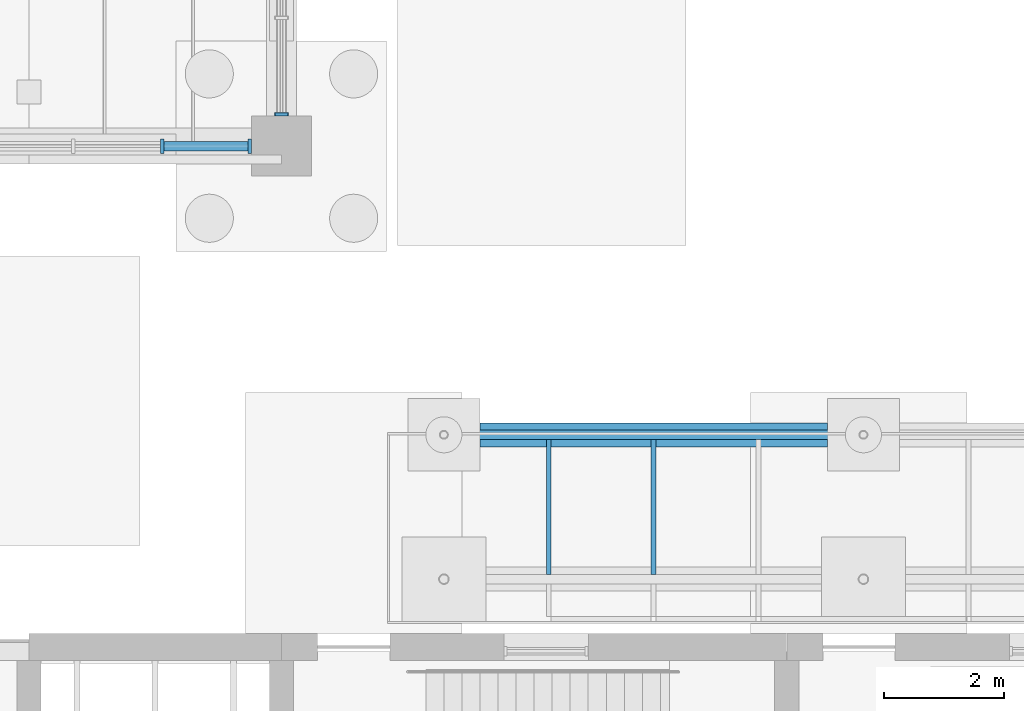
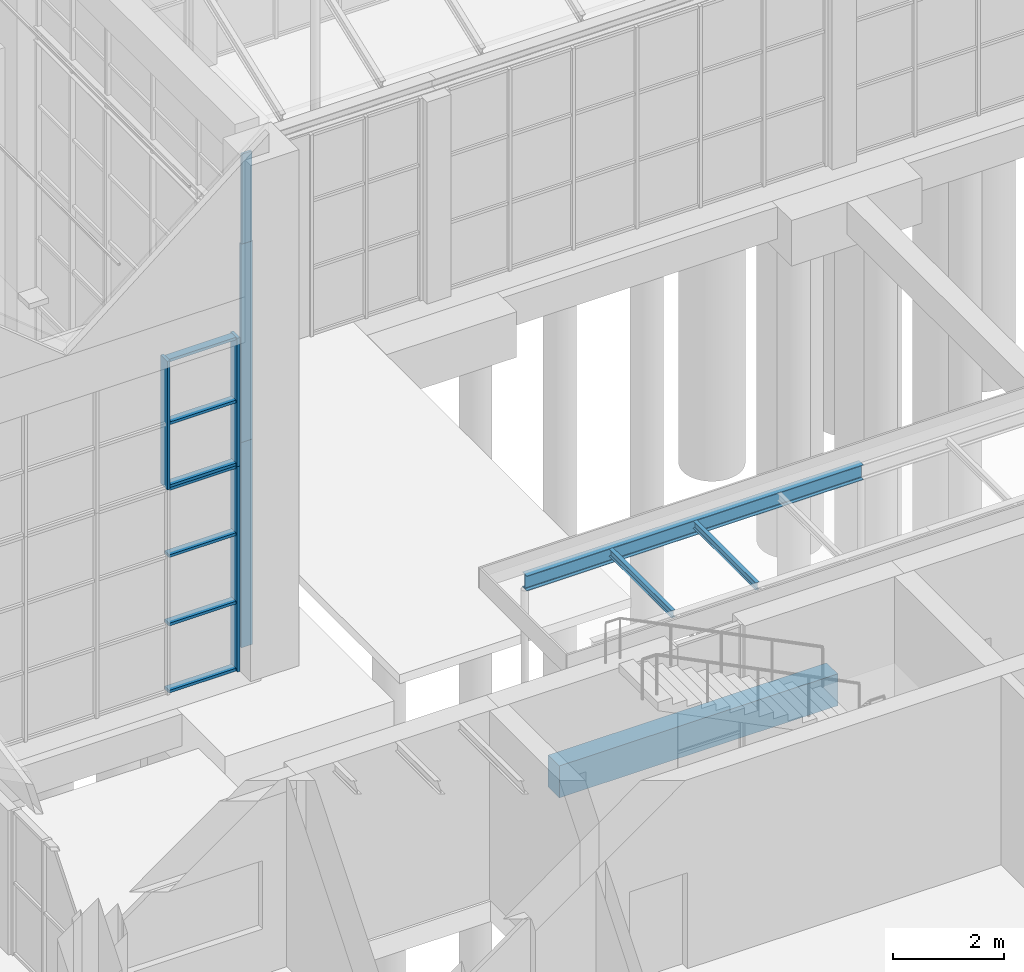
# One storey, part 40 of 138: 13 members, 4 beams, 5 elements without a shape of their own.
"""IFC4 building model written with IfcOpenShell, lengths in metres."""

from ifc_helpers import new_model, si_unit, direction, frame, origin, origin_2d, place, context, subcontext, project, spatial, rectangle, i_section, extrude, material, material_profile, profile_set, type_object, element, aggregate, save


model = new_model("IFC4")

# Units and contexts
model_context = context("Model", 3, precision=1e-05, world=origin(), true_north=direction((0.0, 1.0)))
body_context = subcontext(model_context, "Body", "Model", "MODEL_VIEW")
ifc_project = project(units=[si_unit("LENGTHUNIT", "METRE"), si_unit("AREAUNIT", "SQUARE_METRE"), si_unit("VOLUMEUNIT", "CUBIC_METRE"), si_unit("PLANEANGLEUNIT", "RADIAN"), si_unit("MASSUNIT", "GRAM", prefix="KILO")], contexts=[model_context])

# Site, building, storey
site_placement = place(None, origin())
site = spatial("IfcSite", under=ifc_project, at=site_placement, CompositionType="ELEMENT")
building_placement = place(site_placement, origin())
building = spatial("IfcBuilding", under=site, at=building_placement, Name="Yavir Park General Hospital", CompositionType="ELEMENT")
storey_placement = place(building_placement, origin())
storey = spatial("IfcBuildingStorey", under=building, at=storey_placement, Name="L00", CompositionType="ELEMENT", Elevation=0.0)

# Beams
ifc_material_1 = material(Name="Steel S355", Category="steel")
ifc_material_profile_1 = material_profile(ifc_material_1, i_section(OverallWidth=0.08203125, OverallDepth=0.159912109375, WebThickness=0.0048828125, FlangeThickness=0.00732421875, FilletRadius=0.009033203125, at=origin_2d()), Name="IPE160")
ifc_profile_set_1 = profile_set([ifc_material_profile_1], Name="Steel S355")
beam_type_1 = type_object("IfcBeamType", Name="IPE 160 secondary beam, up to 2.5 m span", PredefinedType="JOIST", material=ifc_profile_set_1)
for number, where, z_axis, x_axis, name in (
    (1, (113.643798828125, 34.8798828125, 3.77001953125), (0.0, 1.0, 0.0), (-1.0, 0.0, 0.0), "B:ARC2:J1-1"),
    (2, (115.387451171875, 34.8798828125, 3.77001953125), (0.0, 1.0, 0.0), (-1.0, 0.0, 0.0), "B:ARC2:J2-1"),
):
    element("IfcBeam", number, at=place(storey_placement, frame(where, z_axis=z_axis, x_axis=x_axis)), inside=storey, type_object=beam_type_1, Name=name, PredefinedType="JOIST", context=body_context, shape_type="SweptSolid", body=[
        extrude(i_section(OverallWidth=0.08203125, OverallDepth=0.159912109375, WebThickness=0.0048828125, FlangeThickness=0.00732421875, FilletRadius=0.009033203125, at=origin_2d()), origin(), (0.0, 0.0, 1.0), 2.240234375),
    ])
ifc_material_2 = material(Name="Steel S355", Category="steel")
ifc_material_profile_2 = material_profile(ifc_material_2, i_section(OverallWidth=0.159912109375, OverallDepth=0.330078125, WebThickness=0.007568359375, FlangeThickness=0.011474609375, FilletRadius=0.01806640625, at=origin_2d()), Name="IPE330")
ifc_profile_set_2 = profile_set([ifc_material_profile_2], Name="Steel S355")
beam_type_2 = type_object("IfcBeamType", Name="IPE 330 main beam, outer row, up to 7 m span", PredefinedType="BEAM", material=ifc_profile_set_2)
beam_1_placement = place(storey_placement, frame((111.89990234375, 37.199951171875, 3.68505859375), z_axis=(1.0, 0.0, 0.0), x_axis=(0.0, 1.0, 0.0)))
element("IfcBeam", 3, at=beam_1_placement, inside=storey, type_object=beam_type_2, Name="B:ARC2:M10", PredefinedType="BEAM", context=body_context, shape_type="SweptSolid", body=[
    extrude(i_section(OverallWidth=0.159912109375, OverallDepth=0.330078125, WebThickness=0.007568359375, FlangeThickness=0.011474609375, FilletRadius=0.01806640625, at=origin_2d()), origin(), (0.0, 0.0, 1.0), 6.97509765625),
])

# Curtain wall, member
ifc_material_3 = material(Name="Aluminium curtain wall frame with insulated glazing", Category="aluminium")
curtain_wall_type_1 = type_object("IfcCurtainWallType", Name="Main hall glazing, clerestory band, 1970 high, 1400 module", PredefinedType="NOTDEFINED", material=ifc_material_3)
curtain_wall_1_placement = place(storey_placement, origin())
curtain_wall_1 = element("IfcCurtainWall", 4, at=curtain_wall_1_placement, inside=storey, type_object=curtain_wall_type_1, Name="CW35 L00-060", PredefinedType="NOTDEFINED")
ifc_material_4 = material(Name="Aluminium", Category="aluminium")
ifc_material_profile_3 = material_profile(ifc_material_4, rectangle(XDim=0.199951171875, YDim=0.050048828125, at=origin_2d()), Name="AL 50x200")
ifc_profile_set_3 = profile_set([ifc_material_profile_3], Name="Aluminium")
member_type_1 = type_object("IfcMemberType", Name="Main hall glazing, clerestory band, 1970 high mullion 50 x 200", PredefinedType="MULLION", material=ifc_profile_set_3)
member_1_placement = place(storey_placement, frame((109.199951171875, 42.52490234375, 8.844970703125), z_axis=(0.0, 0.0, 1.0), x_axis=(-1.0, 0.0, 0.0)))
member_1 = element("IfcMember", 5, at=member_1_placement, type_object=member_type_1, Name="CW35 mullion 1", PredefinedType="MULLION", context=body_context, shape_type="SweptSolid", body=[
    extrude(rectangle(XDim=0.199951171875, YDim=0.050048828125, at=origin_2d()), origin(), (0.0, 0.0, 1.0), 1.969970703125),
])
aggregate(curtain_wall_1, [member_1])

ifc_material_5 = material(Name="Aluminium curtain wall frame with insulated glazing", Category="aluminium")
curtain_wall_type_2 = type_object("IfcCurtainWallType", Name="Main hall glazing, lower band, 4500 high, 1400 module", PredefinedType="NOTDEFINED", material=ifc_material_5)
curtain_wall_2_placement = place(storey_placement, origin())
curtain_wall_2 = element("IfcCurtainWall", 6, at=curtain_wall_2_placement, inside=storey, type_object=curtain_wall_type_2, Name="CW33 L00-011", PredefinedType="NOTDEFINED")
ifc_material_6 = material(Name="Aluminium", Category="aluminium")
ifc_material_profile_4 = material_profile(ifc_material_6, rectangle(XDim=0.239990234375, YDim=0.06005859375, at=origin_2d()), Name="AL 60x240")
ifc_profile_set_4 = profile_set([ifc_material_profile_4], Name="Aluminium")
member_type_2 = type_object("IfcMemberType", Name="Main hall glazing, lower band, 4500 high mullion 60 x 240", PredefinedType="MULLION", material=ifc_profile_set_4)
member_2_placement = place(storey_placement, frame((108.669921875, 42.0, 0.0), z_axis=(0.0, 0.0, 1.0), x_axis=(0.0, 1.0, 0.0)))
member_2 = element("IfcMember", 7, at=member_2_placement, type_object=member_type_2, Name="CW33 mullion 6", PredefinedType="MULLION", context=body_context, shape_type="SweptSolid", body=[
    extrude(rectangle(XDim=0.239990234375, YDim=0.06005859375, at=origin_2d()), origin(), (0.0, 0.0, 1.0), 4.5),
])

curtain_wall_3_placement = place(storey_placement, origin())
curtain_wall_3 = element("IfcCurtainWall", 8, at=curtain_wall_3_placement, inside=storey, type_object=curtain_wall_type_2, Name="CW33 L00-058", PredefinedType="NOTDEFINED")
member_3_placement = place(storey_placement, frame((109.199951171875, 42.530029296875, 0.0), z_axis=(0.0, 0.0, 1.0), x_axis=(-1.0, 0.0, 0.0)))
member_3 = element("IfcMember", 9, at=member_3_placement, type_object=member_type_2, Name="CW33 mullion 1", PredefinedType="MULLION", context=body_context, shape_type="SweptSolid", body=[
    extrude(rectangle(XDim=0.239990234375, YDim=0.06005859375, at=origin_2d()), origin(), (0.0, 0.0, 1.0), 4.5),
])
aggregate(curtain_wall_3, [member_3])

# Member
ifc_material_7 = material(Name="Aluminium", Category="aluminium")
ifc_material_profile_5 = material_profile(ifc_material_7, rectangle(XDim=0.159912109375, YDim=0.06005859375, at=origin_2d()), Name="AL 160x60")
ifc_profile_set_5 = profile_set([ifc_material_profile_5], Name="Aluminium")
member_type_3 = type_object("IfcMemberType", Name="Main hall glazing, lower band, 4500 high transom 60 x 160", PredefinedType="MULLION", material=ifc_profile_set_5)
member_4_placement = place(storey_placement, frame((107.25, 42.0, 0.030029296875), z_axis=(1.0, 0.0, 0.0), x_axis=(0.0, 1.0, 0.0)))
member_4 = element("IfcMember", 10, at=member_4_placement, type_object=member_type_3, Name="CW33 transom 5.1", PredefinedType="MULLION", context=body_context, shape_type="SweptSolid", body=[
    extrude(rectangle(XDim=0.159912109375, YDim=0.06005859375, at=origin_2d()), origin(), (0.0, 0.0, 1.0), 1.389892578125),
])

member_5_placement = place(storey_placement, frame((107.25, 42.0, 1.5), z_axis=(1.0, 0.0, 0.0), x_axis=(0.0, 1.0, 0.0)))
member_5 = element("IfcMember", 11, at=member_5_placement, type_object=member_type_3, Name="CW33 transom 5.2", PredefinedType="MULLION", context=body_context, shape_type="SweptSolid", body=[
    extrude(rectangle(XDim=0.159912109375, YDim=0.06005859375, at=origin_2d()), origin(), (0.0, 0.0, 1.0), 1.389892578125),
])

member_6_placement = place(storey_placement, frame((107.25, 42.0, 3.0), z_axis=(1.0, 0.0, 0.0), x_axis=(0.0, 1.0, 0.0)))
member_6 = element("IfcMember", 12, at=member_6_placement, type_object=member_type_3, Name="CW33 transom 5.3", PredefinedType="MULLION", context=body_context, shape_type="SweptSolid", body=[
    extrude(rectangle(XDim=0.159912109375, YDim=0.06005859375, at=origin_2d()), origin(), (0.0, 0.0, 1.0), 1.389892578125),
])

member_7_placement = place(storey_placement, frame((107.25, 42.0, 4.469970703125), z_axis=(1.0, 0.0, 0.0), x_axis=(0.0, 1.0, 0.0)))
member_7 = element("IfcMember", 13, at=member_7_placement, type_object=member_type_3, Name="CW33 transom 5.4", PredefinedType="MULLION", context=body_context, shape_type="SweptSolid", body=[
    extrude(rectangle(XDim=0.159912109375, YDim=0.06005859375, at=origin_2d()), origin(), (0.0, 0.0, 1.0), 1.389892578125),
])

aggregate(curtain_wall_2, [member_2, member_4, member_5, member_6, member_7])

# Curtain wall, members
ifc_material_8 = material(Name="Aluminium curtain wall frame with insulated glazing", Category="aluminium")
curtain_wall_type_3 = type_object("IfcCurtainWallType", Name="Main hall glazing, upper band, 2817 high, 1400 module", PredefinedType="NOTDEFINED", material=ifc_material_8)
curtain_wall_4_placement = place(storey_placement, origin())
curtain_wall_4 = element("IfcCurtainWall", 14, at=curtain_wall_4_placement, inside=storey, type_object=curtain_wall_type_3, Name="CW34 L00-012", PredefinedType="NOTDEFINED")
ifc_material_9 = material(Name="Aluminium", Category="aluminium")
ifc_material_profile_6 = material_profile(ifc_material_9, rectangle(XDim=0.239990234375, YDim=0.06005859375, at=origin_2d()), Name="AL 60x240")
ifc_profile_set_6 = profile_set([ifc_material_profile_6], Name="Aluminium")
member_type_4 = type_object("IfcMemberType", Name="Main hall glazing, upper band, 2817 high mullion 60 x 240", PredefinedType="MULLION", material=ifc_profile_set_6)
member_8_placement = place(storey_placement, frame((107.219970703125, 42.0, 4.5), z_axis=(0.0, 0.0, 1.0), x_axis=(0.0, 1.0, 0.0)))
member_8 = element("IfcMember", 15, at=member_8_placement, type_object=member_type_4, Name="CW34 mullion 5", PredefinedType="MULLION", context=body_context, shape_type="SweptSolid", body=[
    extrude(rectangle(XDim=0.239990234375, YDim=0.06005859375, at=origin_2d()), origin(), (0.0, 0.0, 1.0), 2.81689453125),
])
member_9_placement = place(storey_placement, frame((108.669921875, 42.0, 4.5), z_axis=(0.0, 0.0, 1.0), x_axis=(0.0, 1.0, 0.0)))
member_9 = element("IfcMember", 16, at=member_9_placement, type_object=member_type_4, Name="CW34 mullion 6", PredefinedType="MULLION", context=body_context, shape_type="SweptSolid", body=[
    extrude(rectangle(XDim=0.239990234375, YDim=0.06005859375, at=origin_2d()), origin(), (0.0, 0.0, 1.0), 2.81689453125),
])
ifc_material_10 = material(Name="Aluminium", Category="aluminium")
ifc_material_profile_7 = material_profile(ifc_material_10, rectangle(XDim=0.159912109375, YDim=0.06005859375, at=origin_2d()), Name="AL 160x60")
ifc_profile_set_7 = profile_set([ifc_material_profile_7], Name="Aluminium")
member_type_5 = type_object("IfcMemberType", Name="Main hall glazing, upper band, 2817 high transom 60 x 160", PredefinedType="MULLION", material=ifc_profile_set_7)
member_10_placement = place(storey_placement, frame((107.25, 42.0, 4.530029296875), z_axis=(1.0, 0.0, 0.0), x_axis=(0.0, 1.0, 0.0)))
member_10 = element("IfcMember", 17, at=member_10_placement, type_object=member_type_5, Name="CW34 transom 5.1", PredefinedType="MULLION", context=body_context, shape_type="SweptSolid", body=[
    extrude(rectangle(XDim=0.159912109375, YDim=0.06005859375, at=origin_2d()), origin(), (0.0, 0.0, 1.0), 1.389892578125),
])
member_11_placement = place(storey_placement, frame((107.25, 42.0, 5.908447265625), z_axis=(1.0, 0.0, 0.0), x_axis=(0.0, 1.0, 0.0)))
member_11 = element("IfcMember", 18, at=member_11_placement, type_object=member_type_5, Name="CW34 transom 5.2", PredefinedType="MULLION", context=body_context, shape_type="SweptSolid", body=[
    extrude(rectangle(XDim=0.159912109375, YDim=0.06005859375, at=origin_2d()), origin(), (0.0, 0.0, 1.0), 1.389892578125),
])
member_12_placement = place(storey_placement, frame((107.25, 42.0, 7.287109375), z_axis=(1.0, 0.0, 0.0), x_axis=(0.0, 1.0, 0.0)))
member_12 = element("IfcMember", 19, at=member_12_placement, type_object=member_type_5, Name="CW34 transom 5.3", PredefinedType="MULLION", context=body_context, shape_type="SweptSolid", body=[
    extrude(rectangle(XDim=0.159912109375, YDim=0.06005859375, at=origin_2d()), origin(), (0.0, 0.0, 1.0), 1.389892578125),
])
aggregate(curtain_wall_4, [member_8, member_9, member_10, member_11, member_12])

# Curtain wall, member
ifc_material_11 = material(Name="Aluminium curtain wall frame with insulated glazing", Category="aluminium")
curtain_wall_type_4 = type_object("IfcCurtainWallType", Name="Main hall glazing, upper band, 4345 high, 1400 module", PredefinedType="NOTDEFINED", material=ifc_material_11)
curtain_wall_5_placement = place(storey_placement, origin())
curtain_wall_5 = element("IfcCurtainWall", 20, at=curtain_wall_5_placement, inside=storey, type_object=curtain_wall_type_4, Name="CW52 L00-059", PredefinedType="NOTDEFINED")
ifc_material_12 = material(Name="Aluminium", Category="aluminium")
ifc_material_profile_8 = material_profile(ifc_material_12, rectangle(XDim=0.239990234375, YDim=0.06005859375, at=origin_2d()), Name="AL 60x240")
ifc_profile_set_8 = profile_set([ifc_material_profile_8], Name="Aluminium")
member_type_6 = type_object("IfcMemberType", Name="Main hall glazing, upper band, 4345 high mullion 60 x 240", PredefinedType="MULLION", material=ifc_profile_set_8)
member_13_placement = place(storey_placement, frame((109.199951171875, 42.530029296875, 4.5), z_axis=(0.0, 0.0, 1.0), x_axis=(-1.0, 0.0, 0.0)))
member_13 = element("IfcMember", 21, at=member_13_placement, type_object=member_type_6, Name="CW52 mullion 1", PredefinedType="MULLION", context=body_context, shape_type="SweptSolid", body=[
    extrude(rectangle(XDim=0.239990234375, YDim=0.06005859375, at=origin_2d()), origin(), (0.0, 0.0, 1.0), 4.344970703125),
])
aggregate(curtain_wall_5, [member_13])

# Beam
ifc_material_13 = material(Name="Concrete C35/45", Category="concrete")
ifc_material_profile_9 = material_profile(ifc_material_13, rectangle(XDim=0.39990234375, YDim=0.699951171875, at=origin_2d()), Name="RC400x700")
ifc_profile_set_9 = profile_set([ifc_material_profile_9], Name="Concrete C35/45")
beam_type_3 = type_object("IfcBeamType", Name="RC BEAM 400x700 ground beam", PredefinedType="BEAM", material=ifc_profile_set_9)
beam_2_placement = place(storey_placement, frame((112.5, 37.199951171875, -0.800048828125), z_axis=(1.0, 0.0, 0.0), x_axis=(0.0, 1.0, 0.0)))
element("IfcBeam", 22, at=beam_2_placement, inside=storey, type_object=beam_type_3, Name="B:GND:ARC2:C10:ARC2:C11", PredefinedType="BEAM", context=body_context, shape_type="SweptSolid", body=[
    extrude(rectangle(XDim=0.39990234375, YDim=0.699951171875, at=origin_2d()), origin(), (0.0, 0.0, 1.0), 5.77490234375),
])

save(model, "model.ifc")
